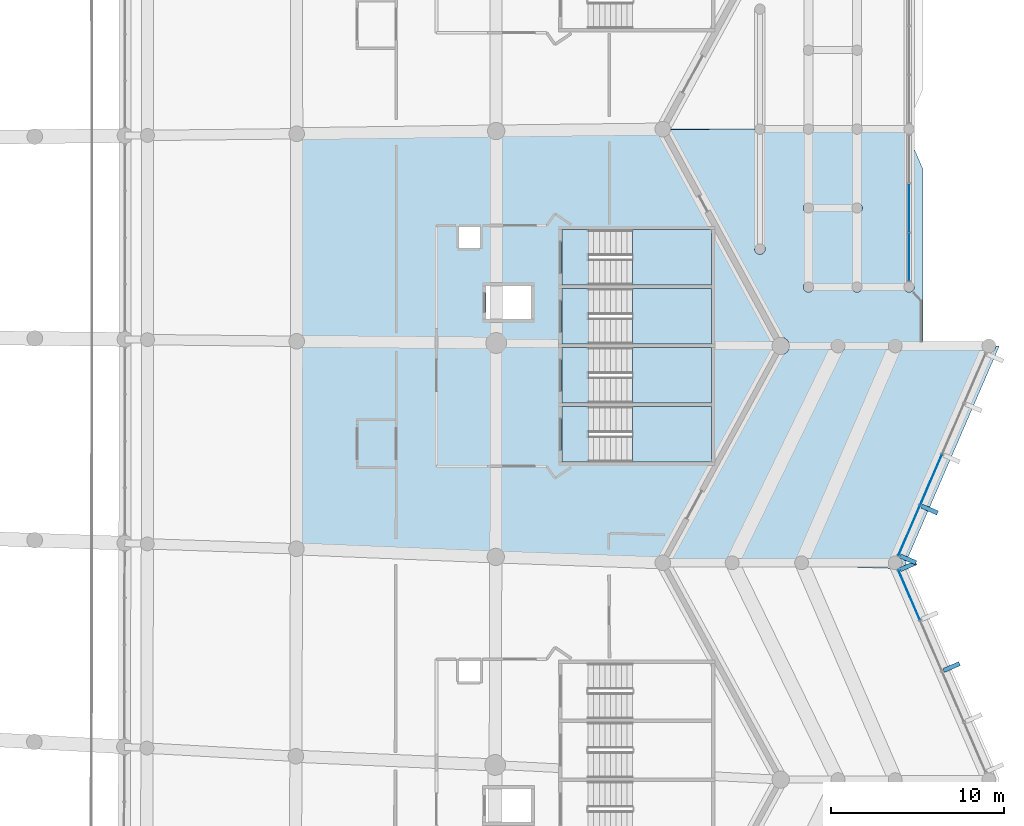
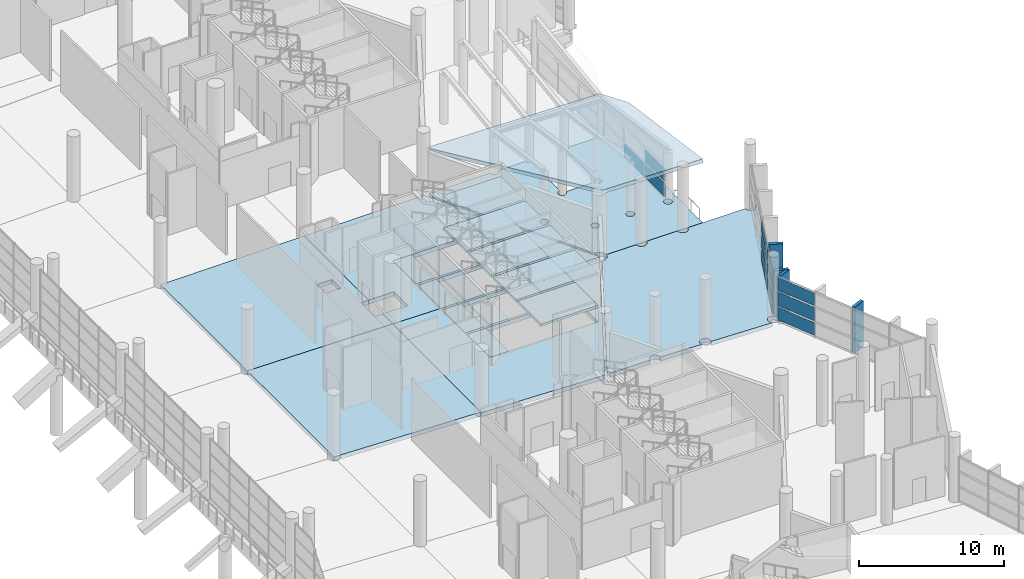
# One storey, part 135 of 271: 23 slabs, 16 plates, 7 elements without a shape of their own.
"""IFC4 building model written with IfcOpenShell, lengths in metres."""

from ifc_helpers import new_model, si_unit, direction, frame, origin, origin_2d, place, context, subcontext, project, spatial, polyline, rectangle, outline, extrude, material, layer, layer_set, type_object, element, aggregate, save


model = new_model("IFC4")

# Units and contexts
model_context = context("Model", 3, precision=1e-05, world=origin(), true_north=direction((0.0, 1.0)))
body_context = subcontext(model_context, "Body", "Model", "MODEL_VIEW")
ifc_project = project(units=[si_unit("LENGTHUNIT", "METRE"), si_unit("AREAUNIT", "SQUARE_METRE"), si_unit("VOLUMEUNIT", "CUBIC_METRE"), si_unit("PLANEANGLEUNIT", "RADIAN"), si_unit("MASSUNIT", "GRAM", prefix="KILO")], contexts=[model_context])

# Site, building, storey
site_placement = place(None, origin())
site = spatial("IfcSite", under=ifc_project, at=site_placement, CompositionType="ELEMENT")
building_placement = place(site_placement, origin())
building = spatial("IfcBuilding", under=site, at=building_placement, Name="Meseta Stadium", CompositionType="ELEMENT")
storey_placement = place(building_placement, frame((0.0, 0.0, 6.5)))
storey = spatial("IfcBuildingStorey", under=building, at=storey_placement, Name="L01", CompositionType="ELEMENT", Elevation=6.5)

# Slabs
ifc_material_1 = material(Name="Concrete C40/50", Category="concrete")
ifc_layer_1 = layer(ifc_material_1, 0.35009765625)
ifc_layer_set_1 = layer_set([ifc_layer_1], Name="Floor slab 350")
slab_type_1 = type_object("IfcSlabType", Name="Floor slab 350", PredefinedType="FLOOR", material=ifc_layer_set_1)
slab_1_placement = place(storey_placement, frame((0.0, 0.0, -0.35009765625)))
element("IfcSlab", 1, at=slab_1_placement, inside=storey, type_object=slab_type_1, Name="Floor slab L01 sector 00 panel 12", PredefinedType="FLOOR", context=body_context, shape_type="SweptSolid", body=[
    extrude(outline(polyline([(84.99755859375, -6.107421875), (84.99755859375, -4.699951171875), (84.39990234375, -4.699951171875), (84.39990234375, -2.800048828125), (84.997314453125, -2.800048828125), (84.9970703125, 6.107421875), (73.498046875, 5.981201171875), (73.498046875, -5.981201171875), (84.99755859375, -6.107421875)]), holes=[polyline([(82.85009765625, 0.60009765625), (84.050048828125, 0.60009765625), (84.050048828125, -0.60009765625), (82.85009765625, -0.60009765625), (82.85009765625, 0.60009765625)])]), origin(), (0.0, 0.0, 1.0), 0.35009765625),
])
slab_2_placement = place(storey_placement, frame((0.0, 0.0, -0.35009765625)))
element("IfcSlab", 2, at=slab_2_placement, inside=storey, type_object=slab_type_1, Name="Floor slab L01 sector 00 panel 14", PredefinedType="FLOOR", context=body_context, shape_type="SweptSolid", body=[
    extrude(outline(polyline([(84.99755859375, -6.107421875), (73.498046875, -5.981201171875), (73.482421875, -17.943603515625), (84.973388671875, -18.321533203125), (84.99755859375, -6.107421875)])), origin(), (0.0, 0.0, 1.0), 0.35009765625),
])
slab_3_placement = place(storey_placement, frame((0.0, 0.0, -0.35009765625)))
element("IfcSlab", 3, at=slab_3_placement, inside=storey, type_object=slab_type_1, Name="Floor slab L01 sector 00 panel 15", PredefinedType="FLOOR", context=body_context, shape_type="SweptSolid", body=[
    extrude(outline(polyline([(84.99755859375, -6.107421875), (84.97314453125, -18.41064453125), (94.60009765625, -18.75), (101.3798828125, -6.287109375), (88.8798828125, -6.14990234375), (88.800048828125, -6.14990234375), (88.800048828125, -6.149169921875), (84.99755859375, -6.107421875)]), holes=[polyline([(88.800048828125, -9.75), (97.39990234375, -9.75), (97.39990234375, -12.949951171875), (88.800048828125, -12.949951171875), (88.800048828125, -9.75)]), polyline([(97.39990234375, -6.35009765625), (97.39990234375, -9.550048828125), (88.800048828125, -9.550048828125), (88.800048828125, -6.35009765625), (97.39990234375, -6.35009765625)])]), origin(), (0.0, 0.0, 1.0), 0.35009765625),
])
slab_4_placement = place(storey_placement, frame((0.0, 0.0, -0.35009765625)))
element("IfcSlab", 4, at=slab_4_placement, inside=storey, type_object=slab_type_1, Name="Floor slab L01 sector 00 panel 21", PredefinedType="FLOOR", context=body_context, shape_type="SweptSolid", body=[
    extrude(outline(polyline([(88.8798828125, -6.14990234375), (101.3798828125, -6.287109375), (101.39990234375, -6.25), (94.6201171875, 6.212890625), (84.9970703125, 6.107421875), (84.997314453125, -2.800048828125), (87.0, -2.800048828125), (87.0, -4.699951171875), (84.99755859375, -4.699951171875), (84.99755859375, -6.107421875), (88.800048828125, -6.149169921875), (88.800048828125, -2.949951171875), (97.39990234375, -2.949951171875), (97.39990234375, -6.14990234375), (88.8798828125, -6.14990234375)]), holes=[polyline([(97.39990234375, -2.75), (88.800048828125, -2.75), (88.800048828125, 0.449951171875), (97.39990234375, 0.449951171875), (97.39990234375, -2.75)])]), origin(), (0.0, 0.0, 1.0), 0.35009765625),
])
slab_5_placement = place(storey_placement, frame((0.0, 0.0, -0.35009765625)))
element("IfcSlab", 5, at=slab_5_placement, inside=storey, type_object=slab_type_1, Name="Gate hall floor slab 1 panel 01", PredefinedType="FLOOR", context=body_context, shape_type="SweptSolid", body=[
    extrude(outline(polyline([(101.39990234375, -5.74560546875), (101.530517578125, -5.762939453125), (101.652099609375, -5.813232421875), (101.756591796875, -5.893310546875), (101.836669921875, -5.997802734375), (101.88720703125, -6.119384765625), (101.904296875, -6.25), (109.60009765625, -6.25), (109.60009765625, 3.935302734375), (108.7265625, 5.95703125), (108.7216796875, 5.957763671875), (108.648681640625, 5.988037109375), (108.5859375, 6.035888671875), (108.5380859375, 6.0986328125), (108.5078125, 6.171630859375), (108.497314453125, 6.25), (106.1025390625, 6.25), (106.09228515625, 6.171630859375), (106.06201171875, 6.0986328125), (106.013916015625, 6.035888671875), (105.951416015625, 5.988037109375), (105.87841796875, 5.957763671875), (105.800048828125, 5.947509765625), (105.800048828125, 2.002685546875), (105.87841796875, 1.9921875), (105.951416015625, 1.9619140625), (106.013916015625, 1.9140625), (106.06201171875, 1.851318359375), (106.09228515625, 1.7783203125), (106.1025390625, 1.699951171875), (106.09228515625, 1.62158203125), (106.06201171875, 1.548583984375), (106.013916015625, 1.486083984375), (105.951416015625, 1.43798828125), (105.87841796875, 1.40771484375), (105.800048828125, 1.3974609375), (105.7216796875, 1.40771484375), (105.648681640625, 1.43798828125), (105.5859375, 1.486083984375), (105.5380859375, 1.548583984375), (105.5078125, 1.62158203125), (105.497314453125, 1.699951171875), (103.302490234375, 1.699951171875), (103.292236328125, 1.62158203125), (103.261962890625, 1.548583984375), (103.214111328125, 1.486083984375), (103.1513671875, 1.43798828125), (103.078369140625, 1.40771484375), (103.0, 1.3974609375), (102.921630859375, 1.40771484375), (102.8486328125, 1.43798828125), (102.785888671875, 1.486083984375), (102.738037109375, 1.548583984375), (102.707763671875, 1.62158203125), (102.697509765625, 1.699951171875), (102.707763671875, 1.7783203125), (102.738037109375, 1.851318359375), (102.785888671875, 1.9140625), (102.8486328125, 1.9619140625), (102.921630859375, 1.9921875), (103.0, 2.002685546875), (103.0, 5.947509765625), (102.921630859375, 5.957763671875), (102.8486328125, 5.988037109375), (102.785888671875, 6.035888671875), (102.738037109375, 6.0986328125), (102.707763671875, 6.171630859375), (102.697509765625, 6.25), (100.502685546875, 6.25), (100.4921875, 6.171630859375), (100.4619140625, 6.0986328125), (100.4140625, 6.035888671875), (100.351318359375, 5.988037109375), (100.2783203125, 5.957763671875), (100.199951171875, 5.947509765625), (100.12158203125, 5.957763671875), (100.048583984375, 5.988037109375), (99.986083984375, 6.035888671875), (99.93798828125, 6.0986328125), (99.90771484375, 6.171630859375), (99.8974609375, 6.25), (99.900146484375, 6.270751953125), (95.049560546875, 6.217529296875), (95.038330078125, 6.132568359375), (94.9931640625, 6.023193359375), (94.955078125, 5.9736328125), (101.335205078125, -5.754150390625), (101.39990234375, -5.74560546875)]), holes=[polyline([(105.648681640625, -2.587890625), (105.7216796875, -2.5576171875), (105.800048828125, -2.54736328125), (105.87841796875, -2.5576171875), (105.951416015625, -2.587890625), (106.013916015625, -2.635986328125), (106.06201171875, -2.69873046875), (106.09228515625, -2.771728515625), (106.1025390625, -2.85009765625), (106.09228515625, -2.92822265625), (106.06201171875, -3.001220703125), (106.013916015625, -3.06396484375), (105.951416015625, -3.112060546875), (105.87841796875, -3.142333984375), (105.800048828125, -3.152587890625), (105.7216796875, -3.142333984375), (105.648681640625, -3.112060546875), (105.5859375, -3.06396484375), (105.5380859375, -3.001220703125), (105.5078125, -2.92822265625), (105.497314453125, -2.85009765625), (105.5078125, -2.771728515625), (105.5380859375, -2.69873046875), (105.5859375, -2.635986328125), (105.648681640625, -2.587890625)]), polyline([(108.5380859375, -3.001220703125), (108.5078125, -2.92822265625), (108.497314453125, -2.85009765625), (108.5078125, -2.771728515625), (108.5380859375, -2.69873046875), (108.5859375, -2.635986328125), (108.648681640625, -2.587890625), (108.7216796875, -2.5576171875), (108.800048828125, -2.54736328125), (108.87841796875, -2.5576171875), (108.951416015625, -2.587890625), (109.013916015625, -2.635986328125), (109.06201171875, -2.69873046875), (109.09228515625, -2.771728515625), (109.1025390625, -2.85009765625), (109.09228515625, -2.92822265625), (109.06201171875, -3.001220703125), (109.013916015625, -3.06396484375), (108.951416015625, -3.112060546875), (108.87841796875, -3.142333984375), (108.800048828125, -3.152587890625), (108.7216796875, -3.142333984375), (108.648681640625, -3.112060546875), (108.5859375, -3.06396484375), (108.5380859375, -3.001220703125)]), polyline([(102.738037109375, -2.69873046875), (102.785888671875, -2.635986328125), (102.8486328125, -2.587890625), (102.921630859375, -2.5576171875), (103.0, -2.54736328125), (103.078369140625, -2.5576171875), (103.1513671875, -2.587890625), (103.214111328125, -2.635986328125), (103.261962890625, -2.69873046875), (103.292236328125, -2.771728515625), (103.302490234375, -2.85009765625), (103.292236328125, -2.92822265625), (103.261962890625, -3.001220703125), (103.214111328125, -3.06396484375), (103.1513671875, -3.112060546875), (103.078369140625, -3.142333984375), (103.0, -3.152587890625), (102.921630859375, -3.142333984375), (102.8486328125, -3.112060546875), (102.785888671875, -3.06396484375), (102.738037109375, -3.001220703125), (102.707763671875, -2.92822265625), (102.697509765625, -2.85009765625), (102.707763671875, -2.771728515625), (102.738037109375, -2.69873046875)]), polyline([(99.8974609375, -0.66748046875), (99.90771484375, -0.589111328125), (99.93798828125, -0.51611328125), (99.986083984375, -0.45361328125), (100.048583984375, -0.405517578125), (100.12158203125, -0.375244140625), (100.199951171875, -0.364990234375), (100.2783203125, -0.375244140625), (100.351318359375, -0.405517578125), (100.4140625, -0.45361328125), (100.4619140625, -0.51611328125), (100.4921875, -0.589111328125), (100.502685546875, -0.66748046875), (100.4921875, -0.745849609375), (100.4619140625, -0.818603515625), (100.4140625, -0.88134765625), (100.351318359375, -0.929443359375), (100.2783203125, -0.959716796875), (100.199951171875, -0.969970703125), (100.12158203125, -0.959716796875), (100.048583984375, -0.929443359375), (99.986083984375, -0.88134765625), (99.93798828125, -0.818603515625), (99.90771484375, -0.745849609375), (99.8974609375, -0.66748046875)])]), origin(), (0.0, 0.0, 1.0), 0.35009765625),
])
slab_6_placement = place(storey_placement, frame((0.0, 0.0, -0.35009765625)))
element("IfcSlab", 6, at=slab_6_placement, inside=storey, type_object=slab_type_1, Name="Ring floor slab L01 8 part 2 panel 03", PredefinedType="FLOOR", context=body_context, shape_type="SweptSolid", body=[
    extrude(outline(polyline([(108.60009765625, -18.75), (114.0, -6.25), (113.803466796875, -6.25), (113.789794921875, -6.3544921875), (113.761474609375, -6.4228515625), (113.74951171875, -6.45166015625), (113.685302734375, -6.535400390625), (113.601806640625, -6.599365234375), (113.50439453125, -6.6396484375), (113.39990234375, -6.653564453125), (113.295654296875, -6.6396484375), (113.1982421875, -6.599365234375), (113.11474609375, -6.535400390625), (113.050537109375, -6.45166015625), (113.01025390625, -6.3544921875), (112.99658203125, -6.25), (108.403564453125, -6.25), (108.3896484375, -6.3544921875), (108.3857421875, -6.364013671875), (108.349365234375, -6.45166015625), (108.285400390625, -6.535400390625), (108.20166015625, -6.599365234375), (108.1044921875, -6.6396484375), (108.0, -6.653564453125), (107.8955078125, -6.6396484375), (107.79833984375, -6.599365234375), (107.714599609375, -6.535400390625), (107.650634765625, -6.45166015625), (107.610595703125, -6.35546875), (107.596435546875, -6.25), (105.103515625, -6.25), (105.089599609375, -6.3544921875), (105.04931640625, -6.45166015625), (104.9853515625, -6.535400390625), (104.901611328125, -6.599365234375), (104.804443359375, -6.6396484375), (104.699951171875, -6.653564453125), (104.595703125, -6.6396484375), (104.498291015625, -6.599365234375), (104.414794921875, -6.535400390625), (104.3505859375, -6.45166015625), (104.310302734375, -6.3544921875), (104.29638671875, -6.25), (101.904296875, -6.25), (101.88720703125, -6.380615234375), (101.836669921875, -6.502197265625), (101.756591796875, -6.606689453125), (101.652099609375, -6.686767578125), (101.530517578125, -6.737060546875), (101.39990234375, -6.75439453125), (101.30322265625, -6.74169921875), (94.935302734375, -18.44775390625), (94.9931640625, -18.523193359375), (95.038330078125, -18.632568359375), (95.053955078125, -18.75), (98.196533203125, -18.75), (98.210205078125, -18.6455078125), (98.25048828125, -18.54833984375), (98.314697265625, -18.464599609375), (98.398193359375, -18.400634765625), (98.49560546875, -18.3603515625), (98.60009765625, -18.346435546875), (98.704345703125, -18.3603515625), (98.8017578125, -18.400634765625), (98.88525390625, -18.464599609375), (98.949462890625, -18.54833984375), (98.98974609375, -18.6455078125), (99.00341796875, -18.75), (98.999267578125, -18.782958984375), (102.224609375, -18.888916015625), (102.210205078125, -18.8544921875), (102.196533203125, -18.75), (102.210205078125, -18.6455078125), (102.25048828125, -18.54833984375), (102.314697265625, -18.464599609375), (102.398193359375, -18.400634765625), (102.49560546875, -18.3603515625), (102.60009765625, -18.346435546875), (102.704345703125, -18.3603515625), (102.8017578125, -18.400634765625), (102.88525390625, -18.464599609375), (102.949462890625, -18.54833984375), (102.98974609375, -18.6455078125), (103.00341796875, -18.75), (102.98974609375, -18.8544921875), (102.96533203125, -18.913330078125), (107.761474609375, -19.071044921875), (107.714599609375, -19.035400390625), (107.650634765625, -18.95166015625), (107.6103515625, -18.8544921875), (107.596435546875, -18.75), (107.6103515625, -18.6455078125), (107.650634765625, -18.54833984375), (107.714599609375, -18.464599609375), (107.79833984375, -18.400634765625), (107.8955078125, -18.3603515625), (108.0, -18.346435546875), (108.1044921875, -18.3603515625), (108.20166015625, -18.400634765625), (108.285400390625, -18.464599609375), (108.349365234375, -18.54833984375), (108.3896484375, -18.6455078125), (108.403564453125, -18.75), (108.3896484375, -18.8544921875), (108.349365234375, -18.95166015625), (108.285400390625, -19.035400390625), (108.218994140625, -19.086181640625), (108.752685546875, -19.103759765625), (108.60009765625, -18.75)])), origin(), (0.0, 0.0, 1.0), 0.35009765625),
])
ifc_material_2 = material(Name="Concrete C40/50", Category="concrete")
ifc_layer_2 = layer(ifc_material_2, 0.300048828125)
ifc_layer_set_2 = layer_set([ifc_layer_2], Name="Gate roof plate 300")
slab_type_2 = type_object("IfcSlabType", Name="Gate roof plate 300", PredefinedType="ROOF", material=ifc_layer_set_2)
slab_7_placement = place(storey_placement, frame((108.60009765625, 6.25, 3.637939453125), z_axis=(0.019795953742, 0.138619742273, 0.990147810818), x_axis=(-0.999800199277, -7.2763e-07, 0.019989035116)))
element("IfcSlab", 7, at=slab_7_placement, inside=storey, type_object=slab_type_2, Name="Gate 1 butterfly roof wing", PredefinedType="ROOF", context=body_context, shape_type="SweptSolid", body=[
    extrude(outline(polyline([(0.0, 0.0), (13.797924284627852, -6.938893903907228e-18), (7.031505782509493, 12.621857424785922), (-0.9652104635668369, 12.621854110354338), (-0.993717866168952, 2.337281621949277), (0.0, 0.0)])), origin(), (0.0, 0.0, -1.0), 0.300048828125),
])

# Curtain wall, plates
ifc_material_3 = material(Name="Aluminium", Category="aluminium")
ifc_layer_3 = layer(ifc_material_3, 0.199951171875)
ifc_layer_set_3 = layer_set([ifc_layer_3], Name="Ring shopfront curtain wall")
curtain_wall_type_1 = type_object("IfcCurtainWallType", Name="Ring shopfront curtain wall", PredefinedType="NOTDEFINED", material=ifc_layer_set_3)
curtain_wall_1_placement = place(storey_placement, origin())
curtain_wall_1 = element("IfcCurtainWall", 8, at=curtain_wall_1_placement, inside=storey, type_object=curtain_wall_type_1, Name="Ring glazing L01 F02", PredefinedType="NOTDEFINED")
ifc_material_4 = material(Name="Glass", Category="glass")
ifc_layer_4 = layer(ifc_material_4, 0.035888671875)
ifc_layer_set_4 = layer_set([ifc_layer_4], Name="Ring CW glass panel 36")
plate_type_1 = type_object("IfcPlateType", Name="Ring CW glass panel 36", PredefinedType="CURTAIN_PANEL", material=ifc_layer_set_4)
plate_1_placement = place(storey_placement, frame((108.7998046875, -20.6015625, 0.14990234375), z_axis=(0.0, 0.0, 1.0), x_axis=(-0.396580687073, 0.91799986854, 0.0)))
plate_1 = element("IfcPlate", 9, at=plate_1_placement, type_object=plate_type_1, Name="CWR1 panel 4.1", PredefinedType="CURTAIN_PANEL", context=body_context, shape_type="SweptSolid", body=[
    extrude(rectangle(XDim=3.1142578125, YDim=0.035888671875, at=origin_2d()), origin(), (0.0, 0.0, 1.0), 1.058349609375),
])
plate_2_placement = place(storey_placement, frame((108.7998046875, -20.6015625, 1.3583984375), z_axis=(0.0, 0.0, 1.0), x_axis=(-0.396580687073, 0.91799986854, 0.0)))
plate_2 = element("IfcPlate", 10, at=plate_2_placement, type_object=plate_type_1, Name="CWR1 panel 4.2", PredefinedType="CURTAIN_PANEL", context=body_context, shape_type="SweptSolid", body=[
    extrude(rectangle(XDim=3.1142578125, YDim=0.035888671875, at=origin_2d()), origin(), (0.0, 0.0, 1.0), 1.13330078125),
])
plate_3_placement = place(storey_placement, frame((108.7998046875, -20.6015625, 2.6416015625), z_axis=(0.0, 0.0, 1.0), x_axis=(-0.396580687073, 0.91799986854, 0.0)))
plate_3 = element("IfcPlate", 11, at=plate_3_placement, type_object=plate_type_1, Name="CWR1 panel 4.3", PredefinedType="CURTAIN_PANEL", context=body_context, shape_type="SweptSolid", body=[
    extrude(rectangle(XDim=3.1142578125, YDim=0.035888671875, at=origin_2d()), origin(), (0.0, 0.0, 1.0), 1.058349609375),
])
aggregate(curtain_wall_1, [plate_1, plate_2, plate_3])

curtain_wall_2_placement = place(storey_placement, origin())
curtain_wall_2 = element("IfcCurtainWall", 12, at=curtain_wall_2_placement, inside=storey, type_object=curtain_wall_type_1, Name="Ring glazing L01 F03", PredefinedType="NOTDEFINED")
plate_4_placement = place(storey_placement, frame((108.7998046875, -16.8984375, 0.14990234375), z_axis=(0.0, 0.0, 1.0), x_axis=(0.396580687073, 0.91799986854, 0.0)))
plate_4 = element("IfcPlate", 13, at=plate_4_placement, type_object=plate_type_1, Name="CWR1 panel 1.1", PredefinedType="CURTAIN_PANEL", context=body_context, shape_type="SweptSolid", body=[
    extrude(rectangle(XDim=3.1142578125, YDim=0.035888671875, at=origin_2d()), origin(), (0.0, 0.0, 1.0), 1.058349609375),
])
plate_5_placement = place(storey_placement, frame((108.7998046875, -16.8984375, 1.3583984375), z_axis=(0.0, 0.0, 1.0), x_axis=(0.396580687073, 0.91799986854, 0.0)))
plate_5 = element("IfcPlate", 14, at=plate_5_placement, type_object=plate_type_1, Name="CWR1 panel 1.2", PredefinedType="CURTAIN_PANEL", context=body_context, shape_type="SweptSolid", body=[
    extrude(rectangle(XDim=3.1142578125, YDim=0.035888671875, at=origin_2d()), origin(), (0.0, 0.0, 1.0), 1.13330078125),
])
plate_6_placement = place(storey_placement, frame((108.7998046875, -16.8984375, 2.6416015625), z_axis=(0.0, 0.0, 1.0), x_axis=(0.396580687073, 0.91799986854, 0.0)))
plate_6 = element("IfcPlate", 15, at=plate_6_placement, type_object=plate_type_1, Name="CWR1 panel 1.3", PredefinedType="CURTAIN_PANEL", context=body_context, shape_type="SweptSolid", body=[
    extrude(rectangle(XDim=3.1142578125, YDim=0.035888671875, at=origin_2d()), origin(), (0.0, 0.0, 1.0), 1.058349609375),
])
plate_7_placement = place(storey_placement, frame((110.064697265625, -13.970703125, 0.14990234375), z_axis=(0.0, 0.0, 1.0), x_axis=(0.396580687073, 0.91799986854, 0.0)))
plate_7 = element("IfcPlate", 16, at=plate_7_placement, type_object=plate_type_1, Name="CWR1 panel 2.1", PredefinedType="CURTAIN_PANEL", context=body_context, shape_type="SweptSolid", body=[
    extrude(rectangle(XDim=3.14404296875, YDim=0.035888671875, at=origin_2d()), origin(), (0.0, 0.0, 1.0), 1.058349609375),
])
plate_8_placement = place(storey_placement, frame((110.064697265625, -13.970703125, 1.3583984375), z_axis=(0.0, 0.0, 1.0), x_axis=(0.396580687073, 0.91799986854, 0.0)))
plate_8 = element("IfcPlate", 17, at=plate_8_placement, type_object=plate_type_1, Name="CWR1 panel 2.2", PredefinedType="CURTAIN_PANEL", context=body_context, shape_type="SweptSolid", body=[
    extrude(rectangle(XDim=3.14404296875, YDim=0.035888671875, at=origin_2d()), origin(), (0.0, 0.0, 1.0), 1.13330078125),
])
plate_9_placement = place(storey_placement, frame((110.064697265625, -13.970703125, 2.6416015625), z_axis=(0.0, 0.0, 1.0), x_axis=(0.396580687073, 0.91799986854, 0.0)))
plate_9 = element("IfcPlate", 18, at=plate_9_placement, type_object=plate_type_1, Name="CWR1 panel 2.3", PredefinedType="CURTAIN_PANEL", context=body_context, shape_type="SweptSolid", body=[
    extrude(rectangle(XDim=3.14404296875, YDim=0.035888671875, at=origin_2d()), origin(), (0.0, 0.0, 1.0), 1.058349609375),
])
aggregate(curtain_wall_2, [plate_4, plate_5, plate_6, plate_7, plate_8, plate_9])

ifc_material_5 = material(Name="Aluminium", Category="aluminium")
ifc_layer_5 = layer(ifc_material_5, 0.199951171875)
ifc_layer_set_5 = layer_set([ifc_layer_5], Name="Gate hall curtain wall")
curtain_wall_type_2 = type_object("IfcCurtainWallType", Name="Gate hall curtain wall", PredefinedType="NOTDEFINED", material=ifc_layer_set_5)
curtain_wall_3_placement = place(storey_placement, origin())
curtain_wall_3 = element("IfcCurtainWall", 19, at=curtain_wall_3_placement, inside=storey, type_object=curtain_wall_type_2, Name="Gate 1 hall glazing", PredefinedType="NOTDEFINED")
plate_10_placement = place(storey_placement, frame((108.800048828125, 1.699951171875, 0.14990234375), z_axis=(0.0, 0.0, 1.0), x_axis=(0.0, -1.0, 0.0)))
plate_10 = element("IfcPlate", 20, at=plate_10_placement, type_object=plate_type_1, Name="CWG1 panel 2.1", PredefinedType="CURTAIN_PANEL", context=body_context, shape_type="SweptSolid", body=[
    extrude(rectangle(XDim=2.7734375, YDim=0.035888671875, at=origin_2d()), origin(), (0.0, 0.0, 1.0), 1.123046875),
])
plate_11_placement = place(storey_placement, frame((108.800048828125, -1.118408203125, 0.14990234375), z_axis=(0.0, 0.0, 1.0), x_axis=(0.0, -1.0, 0.0)))
plate_11 = element("IfcPlate", 21, at=plate_11_placement, type_object=plate_type_1, Name="CWG1 panel 3.1", PredefinedType="CURTAIN_PANEL", context=body_context, shape_type="SweptSolid", body=[
    extrude(rectangle(XDim=2.743408203125, YDim=0.035888671875, at=origin_2d()), origin(), (0.0, 0.0, 1.0), 1.123046875),
])
plate_12_placement = place(storey_placement, frame((108.800048828125, -1.118408203125, 1.423095703125), z_axis=(0.0, 0.0, 1.0), x_axis=(0.0, -1.0, 0.0)))
plate_12 = element("IfcPlate", 22, at=plate_12_placement, type_object=plate_type_1, Name="CWG1 panel 3.2", PredefinedType="CURTAIN_PANEL", context=body_context, shape_type="SweptSolid", body=[
    extrude(rectangle(XDim=2.743408203125, YDim=0.035888671875, at=origin_2d()), origin(), (0.0, 0.0, 1.0), 1.123046875),
])
aggregate(curtain_wall_3, [plate_10, plate_11, plate_12])

# Plates
ifc_material_6 = material(Name="Precast concrete C40/50", Category="concrete")
ifc_layer_6 = layer(ifc_material_6, 0.25)
ifc_layer_set_6 = layer_set([ifc_layer_6], Name="Ring brise-soleil fin 250x1000")
plate_type_2 = type_object("IfcPlateType", Name="Ring brise-soleil fin 250x1000", PredefinedType="USERDEFINED", material=ifc_layer_set_6)
for number, where, z_axis, x_axis, name in (
    (23, (111.250732421875, -24.76220703125, 0.0), (0.0, 0.0, 1.0), (-0.396575976693, 0.918001903435, 0.0), "Brise-soleil fin L01 F02.3"),
    (24, (108.7392578125, -18.947998046875, 0.0), (0.0, 0.0, 1.0), (-0.396575976693, 0.918001903435, 0.0), "Brise-soleil fin L01 F02.5"),
    (25, (108.7392578125, -18.552001953125, 0.0), (0.0, 0.0, 1.0), (0.396575976693, 0.918001903435, 0.0), "Brise-soleil fin L01 F03.1"),
    (26, (109.97998046875, -15.67919921875, 0.0), (0.0, 0.0, 1.0), (0.396575976693, 0.918001903435, 0.0), "Brise-soleil fin L01 F03.2"),
):
    element("IfcPlate", number, at=place(storey_placement, frame(where, z_axis=z_axis, x_axis=x_axis)), inside=storey, type_object=plate_type_2, Name=name, ObjectType="FIN", PredefinedType="USERDEFINED", context=body_context, shape_type="SweptSolid", body=[
        extrude(rectangle(XDim=0.25, YDim=1.0, at=origin_2d()), origin(), (0.0, 0.0, 1.0), 3.85009765625),
    ])

# Stair, slabs
ifc_material_7 = material(Name="Concrete C40/50", Category="concrete")
stair_type = type_object("IfcStairType", Name="Exit stair 4 flights 153 mm risers", PredefinedType="HALF_TURN_STAIR", material=ifc_material_7)
stair_1_placement = place(storey_placement, origin())
stair_1 = element("IfcStair", 27, at=stair_1_placement, inside=storey, type_object=stair_type, Name="ST9 L01", PredefinedType="HALF_TURN_STAIR")
ifc_material_8 = material(Name="Concrete C40/50", Category="concrete")
ifc_layer_7 = layer(ifc_material_8, 0.199951171875)
ifc_layer_set_7 = layer_set([ifc_layer_7], Name="Stair landing 200")
slab_type_3 = type_object("IfcSlabType", Name="Stair landing 200", PredefinedType="LANDING", material=ifc_layer_set_7)
slab_8_placement = place(storey_placement, frame((0.0, 0.0, 1.175048828125)))
slab_8 = element("IfcSlab", 28, at=slab_8_placement, type_object=slab_type_3, Name="ST9 L01 landing 1", PredefinedType="LANDING", context=body_context, shape_type="SweptSolid", body=[
    extrude(outline(polyline([(92.85009765625, -12.949951171875), (97.39990234375, -12.949951171875), (97.39990234375, -9.75), (92.85009765625, -9.75), (92.85009765625, -12.949951171875)])), origin(), (0.0, 0.0, 1.0), 0.199951171875),
])
slab_9_placement = place(storey_placement, frame((0.0, 0.0, 2.550048828125)))
slab_9 = element("IfcSlab", 29, at=slab_9_placement, type_object=slab_type_3, Name="ST9 L01 landing 2", PredefinedType="LANDING", context=body_context, shape_type="SweptSolid", body=[
    extrude(outline(polyline([(88.800048828125, -12.949951171875), (90.31005859375, -12.949951171875), (90.31005859375, -9.75), (88.800048828125, -9.75), (88.800048828125, -12.949951171875)])), origin(), (0.0, 0.0, 1.0), 0.199951171875),
])
slab_10_placement = place(storey_placement, frame((0.0, 0.0, 3.925048828125)))
slab_10 = element("IfcSlab", 30, at=slab_10_placement, type_object=slab_type_3, Name="ST9 L01 landing 3", PredefinedType="LANDING", context=body_context, shape_type="SweptSolid", body=[
    extrude(outline(polyline([(92.85009765625, -12.949951171875), (97.39990234375, -12.949951171875), (97.39990234375, -9.75), (92.85009765625, -9.75), (92.85009765625, -12.949951171875)])), origin(), (0.0, 0.0, 1.0), 0.199951171875),
])
slab_11_placement = place(storey_placement, frame((0.0, 0.0, -0.199951171875)))
slab_11 = element("IfcSlab", 31, at=slab_11_placement, type_object=slab_type_3, Name="ST9 L01 landing 4", PredefinedType="LANDING", context=body_context, shape_type="SweptSolid", body=[
    extrude(outline(polyline([(88.800048828125, -12.949951171875), (90.31005859375, -12.949951171875), (90.31005859375, -9.75), (88.800048828125, -9.75), (88.800048828125, -12.949951171875)])), origin(), (0.0, 0.0, 1.0), 0.199951171875),
])
aggregate(stair_1, [slab_8, slab_9, slab_10, slab_11])

stair_2_placement = place(storey_placement, origin())
stair_2 = element("IfcStair", 32, at=stair_2_placement, inside=storey, type_object=stair_type, Name="ST10 L01", PredefinedType="HALF_TURN_STAIR")
slab_12_placement = place(storey_placement, frame((0.0, 0.0, 1.175048828125)))
slab_12 = element("IfcSlab", 33, at=slab_12_placement, type_object=slab_type_3, Name="ST10 L01 landing 1", PredefinedType="LANDING", context=body_context, shape_type="SweptSolid", body=[
    extrude(outline(polyline([(92.85009765625, -9.550048828125), (97.39990234375, -9.550048828125), (97.39990234375, -6.35009765625), (92.85009765625, -6.35009765625), (92.85009765625, -9.550048828125)])), origin(), (0.0, 0.0, 1.0), 0.199951171875),
])
slab_13_placement = place(storey_placement, frame((0.0, 0.0, 2.550048828125)))
slab_13 = element("IfcSlab", 34, at=slab_13_placement, type_object=slab_type_3, Name="ST10 L01 landing 2", PredefinedType="LANDING", context=body_context, shape_type="SweptSolid", body=[
    extrude(outline(polyline([(88.800048828125, -9.550048828125), (90.31005859375, -9.550048828125), (90.31005859375, -6.35009765625), (88.800048828125, -6.35009765625), (88.800048828125, -9.550048828125)])), origin(), (0.0, 0.0, 1.0), 0.199951171875),
])
slab_14_placement = place(storey_placement, frame((0.0, 0.0, 3.925048828125)))
slab_14 = element("IfcSlab", 35, at=slab_14_placement, type_object=slab_type_3, Name="ST10 L01 landing 3", PredefinedType="LANDING", context=body_context, shape_type="SweptSolid", body=[
    extrude(outline(polyline([(92.85009765625, -9.550048828125), (97.39990234375, -9.550048828125), (97.39990234375, -6.35009765625), (92.85009765625, -6.35009765625), (92.85009765625, -9.550048828125)])), origin(), (0.0, 0.0, 1.0), 0.199951171875),
])
slab_15_placement = place(storey_placement, frame((0.0, 0.0, -0.199951171875)))
slab_15 = element("IfcSlab", 36, at=slab_15_placement, type_object=slab_type_3, Name="ST10 L01 landing 4", PredefinedType="LANDING", context=body_context, shape_type="SweptSolid", body=[
    extrude(outline(polyline([(88.800048828125, -9.550048828125), (90.31005859375, -9.550048828125), (90.31005859375, -6.35009765625), (88.800048828125, -6.35009765625), (88.800048828125, -9.550048828125)])), origin(), (0.0, 0.0, 1.0), 0.199951171875),
])
aggregate(stair_2, [slab_12, slab_13, slab_14, slab_15])

stair_3_placement = place(storey_placement, origin())
stair_3 = element("IfcStair", 37, at=stair_3_placement, inside=storey, type_object=stair_type, Name="ST11 L01", PredefinedType="HALF_TURN_STAIR")
slab_16_placement = place(storey_placement, frame((0.0, 0.0, 1.175048828125)))
slab_16 = element("IfcSlab", 38, at=slab_16_placement, type_object=slab_type_3, Name="ST11 L01 landing 1", PredefinedType="LANDING", context=body_context, shape_type="SweptSolid", body=[
    extrude(outline(polyline([(92.85009765625, -6.14990234375), (97.39990234375, -6.14990234375), (97.39990234375, -2.949951171875), (92.85009765625, -2.949951171875), (92.85009765625, -6.14990234375)])), origin(), (0.0, 0.0, 1.0), 0.199951171875),
])
slab_17_placement = place(storey_placement, frame((0.0, 0.0, 2.550048828125)))
slab_17 = element("IfcSlab", 39, at=slab_17_placement, type_object=slab_type_3, Name="ST11 L01 landing 2", PredefinedType="LANDING", context=body_context, shape_type="SweptSolid", body=[
    extrude(outline(polyline([(88.800048828125, -6.14990234375), (90.31005859375, -6.14990234375), (90.31005859375, -2.949951171875), (88.800048828125, -2.949951171875), (88.800048828125, -6.14990234375)])), origin(), (0.0, 0.0, 1.0), 0.199951171875),
])
slab_18_placement = place(storey_placement, frame((0.0, 0.0, 3.925048828125)))
slab_18 = element("IfcSlab", 40, at=slab_18_placement, type_object=slab_type_3, Name="ST11 L01 landing 3", PredefinedType="LANDING", context=body_context, shape_type="SweptSolid", body=[
    extrude(outline(polyline([(92.85009765625, -6.14990234375), (97.39990234375, -6.14990234375), (97.39990234375, -2.949951171875), (92.85009765625, -2.949951171875), (92.85009765625, -6.14990234375)])), origin(), (0.0, 0.0, 1.0), 0.199951171875),
])
slab_19_placement = place(storey_placement, frame((0.0, 0.0, -0.199951171875)))
slab_19 = element("IfcSlab", 41, at=slab_19_placement, type_object=slab_type_3, Name="ST11 L01 landing 4", PredefinedType="LANDING", context=body_context, shape_type="SweptSolid", body=[
    extrude(outline(polyline([(88.800048828125, -6.14990234375), (90.31005859375, -6.14990234375), (90.31005859375, -2.949951171875), (88.800048828125, -2.949951171875), (88.800048828125, -6.14990234375)])), origin(), (0.0, 0.0, 1.0), 0.199951171875),
])
aggregate(stair_3, [slab_16, slab_17, slab_18, slab_19])

stair_4_placement = place(storey_placement, origin())
stair_4 = element("IfcStair", 42, at=stair_4_placement, inside=storey, type_object=stair_type, Name="ST12 L01", PredefinedType="HALF_TURN_STAIR")
slab_20_placement = place(storey_placement, frame((0.0, 0.0, 1.175048828125)))
slab_20 = element("IfcSlab", 43, at=slab_20_placement, type_object=slab_type_3, Name="ST12 L01 landing 1", PredefinedType="LANDING", context=body_context, shape_type="SweptSolid", body=[
    extrude(outline(polyline([(92.85009765625, -2.75), (97.39990234375, -2.75), (97.39990234375, 0.449951171875), (92.85009765625, 0.449951171875), (92.85009765625, -2.75)])), origin(), (0.0, 0.0, 1.0), 0.199951171875),
])
slab_21_placement = place(storey_placement, frame((0.0, 0.0, 2.550048828125)))
slab_21 = element("IfcSlab", 44, at=slab_21_placement, type_object=slab_type_3, Name="ST12 L01 landing 2", PredefinedType="LANDING", context=body_context, shape_type="SweptSolid", body=[
    extrude(outline(polyline([(88.800048828125, -2.75), (90.31005859375, -2.75), (90.31005859375, 0.449951171875), (88.800048828125, 0.449951171875), (88.800048828125, -2.75)])), origin(), (0.0, 0.0, 1.0), 0.199951171875),
])
slab_22_placement = place(storey_placement, frame((0.0, 0.0, 3.925048828125)))
slab_22 = element("IfcSlab", 45, at=slab_22_placement, type_object=slab_type_3, Name="ST12 L01 landing 3", PredefinedType="LANDING", context=body_context, shape_type="SweptSolid", body=[
    extrude(outline(polyline([(92.85009765625, -2.75), (97.39990234375, -2.75), (97.39990234375, 0.449951171875), (92.85009765625, 0.449951171875), (92.85009765625, -2.75)])), origin(), (0.0, 0.0, 1.0), 0.199951171875),
])
slab_23_placement = place(storey_placement, frame((0.0, 0.0, -0.199951171875)))
slab_23 = element("IfcSlab", 46, at=slab_23_placement, type_object=slab_type_3, Name="ST12 L01 landing 4", PredefinedType="LANDING", context=body_context, shape_type="SweptSolid", body=[
    extrude(outline(polyline([(88.800048828125, -2.75), (90.31005859375, -2.75), (90.31005859375, 0.449951171875), (88.800048828125, 0.449951171875), (88.800048828125, -2.75)])), origin(), (0.0, 0.0, 1.0), 0.199951171875),
])
aggregate(stair_4, [slab_20, slab_21, slab_22, slab_23])

save(model, "model.ifc")
